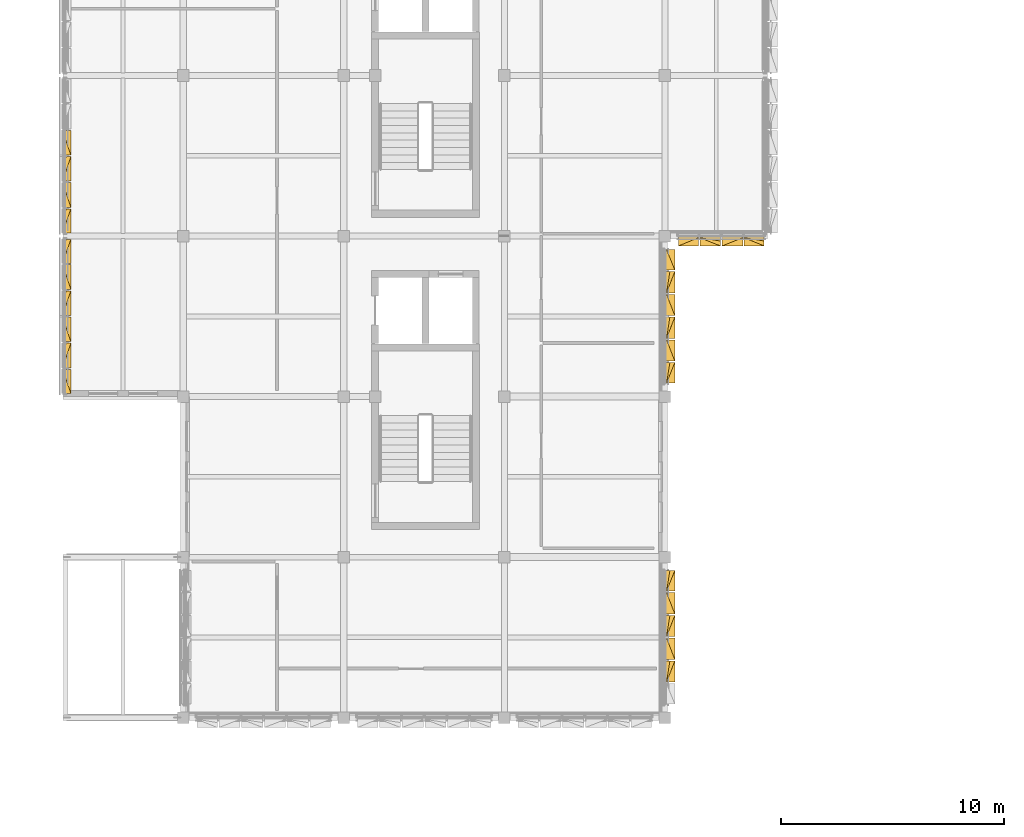
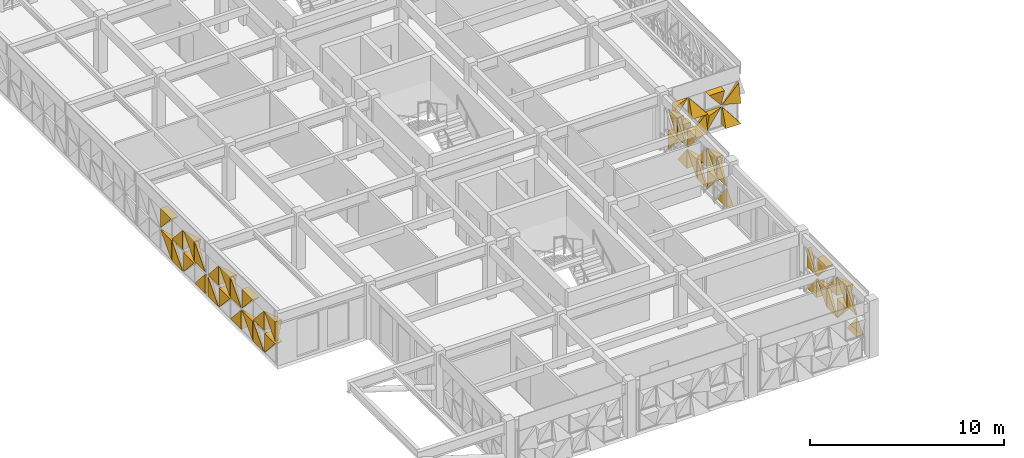
# One storey, part 43 of 48: 50 coverings.
"""IFC4 building model written with IfcOpenShell, lengths in metres."""

from ifc_helpers import new_model, si_unit, direction, frame, origin, place, context, subcontext, project, spatial, polygons, material, layer, layer_set, type_object, element, save


model = new_model("IFC4")

# Units and contexts
model_context = context("Model", 3, precision=1e-05, world=origin(), true_north=direction((0.0, 1.0)))
body_context = subcontext(model_context, "Body", "Model", "MODEL_VIEW")
ifc_project = project(units=[si_unit("LENGTHUNIT", "METRE"), si_unit("AREAUNIT", "SQUARE_METRE"), si_unit("VOLUMEUNIT", "CUBIC_METRE"), si_unit("PLANEANGLEUNIT", "RADIAN"), si_unit("MASSUNIT", "GRAM", prefix="KILO")], contexts=[model_context])

# Site, building, storey
site_placement = place(None, origin())
site = spatial("IfcSite", under=ifc_project, at=site_placement, CompositionType="ELEMENT")
building_placement = place(site_placement, origin())
building = spatial("IfcBuilding", under=site, at=building_placement, Name="Alvorim Cloister Faculty of Sciences", CompositionType="ELEMENT")
storey_placement = place(building_placement, frame((0.0, 0.0, 19.35009765625)))
storey = spatial("IfcBuildingStorey", under=building, at=storey_placement, Name="L05", CompositionType="ELEMENT", Elevation=19.35009765625)

# Coverings
ifc_material = material(Name="Perforated Bronze Alloy Sheet", Category="metal")
ifc_layer = layer(ifc_material, 0.0380859375)
ifc_layer_set = layer_set([ifc_layer], Name="Perforated Bronze Alloy Sheet")
covering_type = type_object("IfcCoveringType", Name="COV-TRI-BRZ", PredefinedType="CLADDING", material=ifc_layer_set)
covering_1_placement = place(storey_placement, frame((1.7548828125, 21.7451171875, 0.139892578125), z_axis=(0.0, 0.0, 1.0), x_axis=(0.0, 1.0, 0.0)))
element("IfcCovering", 1, at=covering_1_placement, inside=storey, type_object=covering_type, Name="Diagonal Solid Metal Triangle TRI-TR", PredefinedType="CLADDING", context=body_context, shape_type="Tessellation", body=[
    polygons([(1.075927734375, 0.0260009765625, 0.002), (1.075927734375, 0.0260009765625, 1.218505859375), (0.002, 0.0260009765625, 1.218505859375), (1.075927734375, -0.03, 0.002), (1.075927734375, -0.4, 1.218505859375), (0.002, -0.4, 1.218505859375)], [[[1, 3, 2]], [[4, 5, 6]], [[1, 2, 5, 4]], [[2, 3, 6, 5]], [[3, 1, 4, 6]]], closed=True),
])
covering_2_placement = place(storey_placement, frame((1.7548828125, 21.7451171875, 1.498291015625), z_axis=(0.0, 0.0, 1.0), x_axis=(0.0, 1.0, 0.0)))
element("IfcCovering", 2, at=covering_2_placement, inside=storey, type_object=covering_type, Name="Diagonal Solid Metal Triangle TRI-TL", PredefinedType="CLADDING", context=body_context, shape_type="Tessellation", body=[
    polygons([(1.073927734375, 0.0260009765625, 1.218505859375), (0.0, 0.0260009765625, 1.218505859375), (0.0, 0.0260009765625, 0.002), (1.073927734375, -0.03, 1.218505859375), (0.0, -0.4, 1.218505859375), (0.0, -0.13999999999999999, 0.002)], [[[1, 3, 2]], [[4, 5, 6]], [[1, 2, 5, 4]], [[2, 3, 6, 5]], [[3, 1, 4, 6]]], closed=True),
])
covering_3_placement = place(storey_placement, frame((1.7548828125, 22.8857421875, 0.139892578125), z_axis=(0.0, 0.0, 1.0), x_axis=(0.0, 1.0, 0.0)))
element("IfcCovering", 3, at=covering_3_placement, inside=storey, type_object=covering_type, Name="Diagonal Solid Metal Triangle TRI-BR", PredefinedType="CLADDING", context=body_context, shape_type="Tessellation", body=[
    polygons([(0.002, 0.0260009765625, 0.0), (1.1083984375, 0.0260009765625, 0.0), (1.1083984375, 0.0260009765625, 1.216505859375), (0.002, -0.03, 0.0), (1.1083984375, -0.4, 0.0), (1.1083984375, -0.18000000000000002, 1.216505859375)], [[[1, 3, 2]], [[4, 5, 6]], [[1, 2, 5, 4]], [[2, 3, 6, 5]], [[3, 1, 4, 6]]], closed=True),
])
covering_4_placement = place(storey_placement, frame((1.7548828125, 22.8857421875, 1.498291015625), z_axis=(0.0, 0.0, 1.0), x_axis=(0.0, 1.0, 0.0)))
element("IfcCovering", 4, at=covering_4_placement, inside=storey, type_object=covering_type, Name="Diagonal Solid Metal Triangle TRI-BL", PredefinedType="CLADDING", context=body_context, shape_type="Tessellation", body=[
    polygons([(0.0, 0.0260009765625, 0.0), (1.1063984375, 0.0260009765625, 0.0), (0.0, 0.0260009765625, 1.216505859375), (0.0, -0.4, 0.0), (1.1063984375, -0.4, 0.0), (0.0, -0.03, 1.216505859375)], [[[1, 3, 2]], [[4, 5, 6]], [[1, 2, 5, 4]], [[2, 3, 6, 5]], [[3, 1, 4, 6]]], closed=True),
])
covering_5_placement = place(storey_placement, frame((1.7548828125, 24.05908203125, 0.139892578125), z_axis=(0.0, 0.0, 1.0), x_axis=(0.0, 1.0, 0.0)))
element("IfcCovering", 5, at=covering_5_placement, inside=storey, type_object=covering_type, Name="Diagonal Solid Metal Triangle TRI-TL", PredefinedType="CLADDING", context=body_context, shape_type="Tessellation", body=[
    polygons([(1.1063984375, 0.0260009765625, 1.218505859375), (0.0, 0.0260009765625, 1.218505859375), (0.0, 0.0260009765625, 0.002), (1.1063984375, -0.03, 1.218505859375), (0.0, -0.4, 1.218505859375), (0.0, -0.13999999999999999, 0.002)], [[[1, 3, 2]], [[4, 5, 6]], [[1, 2, 5, 4]], [[2, 3, 6, 5]], [[3, 1, 4, 6]]], closed=True),
])
covering_6_placement = place(storey_placement, frame((1.7548828125, 24.05908203125, 1.498291015625), z_axis=(0.0, 0.0, 1.0), x_axis=(0.0, 1.0, 0.0)))
element("IfcCovering", 6, at=covering_6_placement, inside=storey, type_object=covering_type, Name="Diagonal Solid Metal Triangle TRI-TR", PredefinedType="CLADDING", context=body_context, shape_type="Tessellation", body=[
    polygons([(1.1083984375, 0.0260009765625, 0.002), (1.1083984375, 0.0260009765625, 1.218505859375), (0.002, 0.0260009765625, 1.218505859375), (1.1083984375, -0.03, 0.002), (1.1083984375, -0.4, 1.218505859375), (0.002, -0.4, 1.218505859375)], [[[1, 3, 2]], [[4, 5, 6]], [[1, 2, 5, 4]], [[2, 3, 6, 5]], [[3, 1, 4, 6]]], closed=True),
])
covering_7_placement = place(storey_placement, frame((1.7548828125, 25.232421875, 0.139892578125), z_axis=(0.0, 0.0, 1.0), x_axis=(0.0, 1.0, 0.0)))
element("IfcCovering", 7, at=covering_7_placement, inside=storey, type_object=covering_type, Name="Diagonal Solid Metal Triangle TRI-BL", PredefinedType="CLADDING", context=body_context, shape_type="Tessellation", body=[
    polygons([(0.0, 0.0260009765625, 0.0), (1.1063984375, 0.0260009765625, 0.0), (0.0, 0.0260009765625, 1.216505859375), (0.0, -0.4, 0.0), (1.1063984375, -0.4, 0.0), (0.0, -0.03, 1.216505859375)], [[[1, 3, 2]], [[4, 5, 6]], [[1, 2, 5, 4]], [[2, 3, 6, 5]], [[3, 1, 4, 6]]], closed=True),
])
covering_8_placement = place(storey_placement, frame((1.7548828125, 25.232421875, 1.498291015625), z_axis=(0.0, 0.0, 1.0), x_axis=(0.0, 1.0, 0.0)))
element("IfcCovering", 8, at=covering_8_placement, inside=storey, type_object=covering_type, Name="Diagonal Solid Metal Triangle TRI-BR", PredefinedType="CLADDING", context=body_context, shape_type="Tessellation", body=[
    polygons([(0.002, 0.0260009765625, 0.0), (1.1083984375, 0.0260009765625, 0.0), (1.1083984375, 0.0260009765625, 1.216505859375), (0.002, -0.03, 0.0), (1.1083984375, -0.4, 0.0), (1.1083984375, -0.18000000000000002, 1.216505859375)], [[[1, 3, 2]], [[4, 5, 6]], [[1, 2, 5, 4]], [[2, 3, 6, 5]], [[3, 1, 4, 6]]], closed=True),
])
covering_9_placement = place(storey_placement, frame((1.7548828125, 26.40576171875, 0.139892578125), z_axis=(0.0, 0.0, 1.0), x_axis=(0.0, 1.0, 0.0)))
element("IfcCovering", 9, at=covering_9_placement, inside=storey, type_object=covering_type, Name="Diagonal Solid Metal Triangle TRI-TR", PredefinedType="CLADDING", context=body_context, shape_type="Tessellation", body=[
    polygons([(1.1083984375, 0.0260009765625, 0.002), (1.1083984375, 0.0260009765625, 1.218505859375), (0.002, 0.0260009765625, 1.218505859375), (1.1083984375, -0.03, 0.002), (1.1083984375, -0.4, 1.218505859375), (0.002, -0.4, 1.218505859375)], [[[1, 3, 2]], [[4, 5, 6]], [[1, 2, 5, 4]], [[2, 3, 6, 5]], [[3, 1, 4, 6]]], closed=True),
])
covering_10_placement = place(storey_placement, frame((1.7548828125, 26.40576171875, 1.498291015625), z_axis=(0.0, 0.0, 1.0), x_axis=(0.0, 1.0, 0.0)))
element("IfcCovering", 10, at=covering_10_placement, inside=storey, type_object=covering_type, Name="Diagonal Solid Metal Triangle TRI-TL", PredefinedType="CLADDING", context=body_context, shape_type="Tessellation", body=[
    polygons([(1.1063984375, 0.0260009765625, 1.218505859375), (0.0, 0.0260009765625, 1.218505859375), (0.0, 0.0260009765625, 0.002), (1.1063984375, -0.03, 1.218505859375), (0.0, -0.4, 1.218505859375), (0.0, -0.13999999999999999, 0.002)], [[[1, 3, 2]], [[4, 5, 6]], [[1, 2, 5, 4]], [[2, 3, 6, 5]], [[3, 1, 4, 6]]], closed=True),
])
covering_11_placement = place(storey_placement, frame((1.7548828125, 27.5791015625, 0.139892578125), z_axis=(0.0, 0.0, 1.0), x_axis=(0.0, 1.0, 0.0)))
element("IfcCovering", 11, at=covering_11_placement, inside=storey, type_object=covering_type, Name="Diagonal Solid Metal Triangle TRI-BR", PredefinedType="CLADDING", context=body_context, shape_type="Tessellation", body=[
    polygons([(0.002, 0.0260009765625, 0.0), (1.075927734375, 0.0260009765625, 0.0), (1.075927734375, 0.0260009765625, 1.216505859375), (0.002, -0.03, 0.0), (1.075927734375, -0.4, 0.0), (1.075927734375, -0.18000000000000002, 1.216505859375)], [[[1, 3, 2]], [[4, 5, 6]], [[1, 2, 5, 4]], [[2, 3, 6, 5]], [[3, 1, 4, 6]]], closed=True),
])
for number, where, z_axis, x_axis, name in (
    (12, (1.7548828125, 27.5791015625, 1.498291015625), (0.0, 0.0, 1.0), (0.0, 1.0, 0.0), "Diagonal Solid Metal Triangle TRI-BL"),
    (13, (1.7548828125, 28.945068359375, 0.139892578125), (0.0, 0.0, 1.0), (0.0, 1.0, 0.0), "Diagonal Solid Metal Triangle TRI-BL"),
):
    element("IfcCovering", number, at=place(storey_placement, frame(where, z_axis=z_axis, x_axis=x_axis)), inside=storey, type_object=covering_type, Name=name, PredefinedType="CLADDING", context=body_context, shape_type="Tessellation", body=[
        polygons([(0.0, 0.0260009765625, 0.0), (1.073927734375, 0.0260009765625, 0.0), (0.0, 0.0260009765625, 1.216505859375), (0.0, -0.4, 0.0), (1.073927734375, -0.4, 0.0), (0.0, -0.03, 1.216505859375)], [[[1, 3, 2]], [[4, 5, 6]], [[1, 2, 5, 4]], [[2, 3, 6, 5]], [[3, 1, 4, 6]]], closed=True),
    ])
covering_12_placement = place(storey_placement, frame((1.7548828125, 28.945068359375, 1.498291015625), z_axis=(0.0, 0.0, 1.0), x_axis=(0.0, 1.0, 0.0)))
element("IfcCovering", 14, at=covering_12_placement, inside=storey, type_object=covering_type, Name="Diagonal Solid Metal Triangle TRI-BR", PredefinedType="CLADDING", context=body_context, shape_type="Tessellation", body=[
    polygons([(0.002, 0.0260009765625, 0.0), (1.075927734375, 0.0260009765625, 0.0), (1.075927734375, 0.0260009765625, 1.216505859375), (0.002, -0.03, 0.0), (1.075927734375, -0.4, 0.0), (1.075927734375, -0.18000000000000002, 1.216505859375)], [[[1, 3, 2]], [[4, 5, 6]], [[1, 2, 5, 4]], [[2, 3, 6, 5]], [[3, 1, 4, 6]]], closed=True),
])
covering_13_placement = place(storey_placement, frame((1.7548828125, 30.0859375, 0.139892578125), z_axis=(0.0, 0.0, 1.0), x_axis=(0.0, 1.0, 0.0)))
element("IfcCovering", 15, at=covering_13_placement, inside=storey, type_object=covering_type, Name="Diagonal Solid Metal Triangle TRI-TR", PredefinedType="CLADDING", context=body_context, shape_type="Tessellation", body=[
    polygons([(1.1083984375, 0.0260009765625, 0.002), (1.1083984375, 0.0260009765625, 1.218505859375), (0.002, 0.0260009765625, 1.218505859375), (1.1083984375, -0.03, 0.002), (1.1083984375, -0.4, 1.218505859375), (0.002, -0.4, 1.218505859375)], [[[1, 3, 2]], [[4, 5, 6]], [[1, 2, 5, 4]], [[2, 3, 6, 5]], [[3, 1, 4, 6]]], closed=True),
])
covering_14_placement = place(storey_placement, frame((1.7548828125, 30.0859375, 1.498291015625), z_axis=(0.0, 0.0, 1.0), x_axis=(0.0, 1.0, 0.0)))
element("IfcCovering", 16, at=covering_14_placement, inside=storey, type_object=covering_type, Name="Diagonal Solid Metal Triangle TRI-TL", PredefinedType="CLADDING", context=body_context, shape_type="Tessellation", body=[
    polygons([(1.1063984375, 0.0260009765625, 1.218505859375), (0.0, 0.0260009765625, 1.218505859375), (0.0, 0.0260009765625, 0.002), (1.1063984375, -0.03, 1.218505859375), (0.0, -0.4, 1.218505859375), (0.0, -0.13999999999999999, 0.002)], [[[1, 3, 2]], [[4, 5, 6]], [[1, 2, 5, 4]], [[2, 3, 6, 5]], [[3, 1, 4, 6]]], closed=True),
])
covering_15_placement = place(storey_placement, frame((1.7548828125, 31.25927734375, 0.139892578125), z_axis=(0.0, 0.0, 1.0), x_axis=(0.0, 1.0, 0.0)))
element("IfcCovering", 17, at=covering_15_placement, inside=storey, type_object=covering_type, Name="Diagonal Solid Metal Triangle TRI-BR", PredefinedType="CLADDING", context=body_context, shape_type="Tessellation", body=[
    polygons([(0.002, 0.0260009765625, 0.0), (1.1083984375, 0.0260009765625, 0.0), (1.1083984375, 0.0260009765625, 1.216505859375), (0.002, -0.03, 0.0), (1.1083984375, -0.4, 0.0), (1.1083984375, -0.18000000000000002, 1.216505859375)], [[[1, 3, 2]], [[4, 5, 6]], [[1, 2, 5, 4]], [[2, 3, 6, 5]], [[3, 1, 4, 6]]], closed=True),
])
covering_16_placement = place(storey_placement, frame((1.7548828125, 31.25927734375, 1.498291015625), z_axis=(0.0, 0.0, 1.0), x_axis=(0.0, 1.0, 0.0)))
element("IfcCovering", 18, at=covering_16_placement, inside=storey, type_object=covering_type, Name="Diagonal Solid Metal Triangle TRI-BL", PredefinedType="CLADDING", context=body_context, shape_type="Tessellation", body=[
    polygons([(0.0, 0.0260009765625, 0.0), (1.1063984375, 0.0260009765625, 0.0), (0.0, 0.0260009765625, 1.216505859375), (0.0, -0.4, 0.0), (1.1063984375, -0.4, 0.0), (0.0, -0.03, 1.216505859375)], [[[1, 3, 2]], [[4, 5, 6]], [[1, 2, 5, 4]], [[2, 3, 6, 5]], [[3, 1, 4, 6]]], closed=True),
])
covering_17_placement = place(storey_placement, frame((1.7548828125, 32.4326171875, 0.139892578125), z_axis=(0.0, 0.0, 1.0), x_axis=(0.0, 1.0, 0.0)))
element("IfcCovering", 19, at=covering_17_placement, inside=storey, type_object=covering_type, Name="Diagonal Solid Metal Triangle TRI-TL", PredefinedType="CLADDING", context=body_context, shape_type="Tessellation", body=[
    polygons([(1.1063984375, 0.0260009765625, 1.218505859375), (0.0, 0.0260009765625, 1.218505859375), (0.0, 0.0260009765625, 0.002), (1.1063984375, -0.03, 1.218505859375), (0.0, -0.4, 1.218505859375), (0.0, -0.13999999999999999, 0.002)], [[[1, 3, 2]], [[4, 5, 6]], [[1, 2, 5, 4]], [[2, 3, 6, 5]], [[3, 1, 4, 6]]], closed=True),
])
covering_18_placement = place(storey_placement, frame((1.7548828125, 32.4326171875, 1.498291015625), z_axis=(0.0, 0.0, 1.0), x_axis=(0.0, 1.0, 0.0)))
element("IfcCovering", 20, at=covering_18_placement, inside=storey, type_object=covering_type, Name="Diagonal Solid Metal Triangle TRI-TR", PredefinedType="CLADDING", context=body_context, shape_type="Tessellation", body=[
    polygons([(1.1083984375, 0.0260009765625, 0.002), (1.1083984375, 0.0260009765625, 1.218505859375), (0.002, 0.0260009765625, 1.218505859375), (1.1083984375, -0.03, 0.002), (1.1083984375, -0.4, 1.218505859375), (0.002, -0.4, 1.218505859375)], [[[1, 3, 2]], [[4, 5, 6]], [[1, 2, 5, 4]], [[2, 3, 6, 5]], [[3, 1, 4, 6]]], closed=True),
])
covering_19_placement = place(storey_placement, frame((29.405029296875, 28.7548828125, 0.139892578125), z_axis=(0.0, 0.0, 1.0), x_axis=(1.0, 0.0, 0.0)))
element("IfcCovering", 21, at=covering_19_placement, inside=storey, type_object=covering_type, Name="Diagonal Solid Metal Triangle TRI-TR", PredefinedType="CLADDING", context=body_context, shape_type="Tessellation", body=[
    polygons([(0.8974609375, 0.0260009765625, 0.002), (0.8974609375, 0.0260009765625, 1.14306640625), (0.002, 0.0260009765625, 1.14306640625), (0.8974609375, -0.03, 0.002), (0.8974609375, -0.4, 1.14306640625), (0.002, -0.4, 1.14306640625)], [[[1, 3, 2]], [[4, 5, 6]], [[1, 2, 5, 4]], [[2, 3, 6, 5]], [[3, 1, 4, 6]]], closed=True),
])
covering_20_placement = place(storey_placement, frame((29.405029296875, 28.7548828125, 1.4228515625), z_axis=(0.0, 0.0, 1.0), x_axis=(1.0, 0.0, 0.0)))
element("IfcCovering", 22, at=covering_20_placement, inside=storey, type_object=covering_type, Name="Diagonal Solid Metal Triangle TRI-TL", PredefinedType="CLADDING", context=body_context, shape_type="Tessellation", body=[
    polygons([(0.8954609375, 0.0260009765625, 1.14306640625), (0.0, 0.0260009765625, 1.14306640625), (0.0, 0.0260009765625, 0.002), (0.8954609375, -0.03, 1.14306640625), (0.0, -0.4, 1.14306640625), (0.0, -0.13999999999999999, 0.002)], [[[1, 3, 2]], [[4, 5, 6]], [[1, 2, 5, 4]], [[2, 3, 6, 5]], [[3, 1, 4, 6]]], closed=True),
])
covering_21_placement = place(storey_placement, frame((30.367431640625, 28.7548828125, 0.139892578125), z_axis=(0.0, 0.0, 1.0), x_axis=(1.0, 0.0, 0.0)))
element("IfcCovering", 23, at=covering_21_placement, inside=storey, type_object=covering_type, Name="Diagonal Solid Metal Triangle TRI-BR", PredefinedType="CLADDING", context=body_context, shape_type="Tessellation", body=[
    polygons([(0.002, 0.0260009765625, 0.0), (0.929931640625, 0.0260009765625, 0.0), (0.929931640625, 0.0260009765625, 1.14106640625), (0.002, -0.03, 0.0), (0.929931640625, -0.4, 0.0), (0.929931640625, -0.18000000000000002, 1.14106640625)], [[[1, 3, 2]], [[4, 5, 6]], [[1, 2, 5, 4]], [[2, 3, 6, 5]], [[3, 1, 4, 6]]], closed=True),
])
covering_22_placement = place(storey_placement, frame((30.367431640625, 28.7548828125, 1.4228515625), z_axis=(0.0, 0.0, 1.0), x_axis=(1.0, 0.0, 0.0)))
element("IfcCovering", 24, at=covering_22_placement, inside=storey, type_object=covering_type, Name="Diagonal Solid Metal Triangle TRI-BL", PredefinedType="CLADDING", context=body_context, shape_type="Tessellation", body=[
    polygons([(0.0, 0.0260009765625, 0.0), (0.927931640625, 0.0260009765625, 0.0), (0.0, 0.0260009765625, 1.14106640625), (0.0, -0.4, 0.0), (0.927931640625, -0.4, 0.0), (0.0, -0.03, 1.14106640625)], [[[1, 3, 2]], [[4, 5, 6]], [[1, 2, 5, 4]], [[2, 3, 6, 5]], [[3, 1, 4, 6]]], closed=True),
])
covering_23_placement = place(storey_placement, frame((31.362548828125, 28.7548828125, 0.139892578125), z_axis=(0.0, 0.0, 1.0), x_axis=(1.0, 0.0, 0.0)))
element("IfcCovering", 25, at=covering_23_placement, inside=storey, type_object=covering_type, Name="Diagonal Solid Metal Triangle TRI-TL", PredefinedType="CLADDING", context=body_context, shape_type="Tessellation", body=[
    polygons([(0.927931640625, 0.0260009765625, 1.14306640625), (0.0, 0.0260009765625, 1.14306640625), (0.0, 0.0260009765625, 0.002), (0.927931640625, -0.03, 1.14306640625), (0.0, -0.4, 1.14306640625), (0.0, -0.13999999999999999, 0.002)], [[[1, 3, 2]], [[4, 5, 6]], [[1, 2, 5, 4]], [[2, 3, 6, 5]], [[3, 1, 4, 6]]], closed=True),
])
covering_24_placement = place(storey_placement, frame((31.362548828125, 28.7548828125, 1.4228515625), z_axis=(0.0, 0.0, 1.0), x_axis=(1.0, 0.0, 0.0)))
element("IfcCovering", 26, at=covering_24_placement, inside=storey, type_object=covering_type, Name="Diagonal Solid Metal Triangle TRI-TR", PredefinedType="CLADDING", context=body_context, shape_type="Tessellation", body=[
    polygons([(0.929931640625, 0.0260009765625, 0.002), (0.929931640625, 0.0260009765625, 1.14306640625), (0.002, 0.0260009765625, 1.14306640625), (0.929931640625, -0.03, 0.002), (0.929931640625, -0.4, 1.14306640625), (0.002, -0.4, 1.14306640625)], [[[1, 3, 2]], [[4, 5, 6]], [[1, 2, 5, 4]], [[2, 3, 6, 5]], [[3, 1, 4, 6]]], closed=True),
])
covering_25_placement = place(storey_placement, frame((32.357421875, 28.7548828125, 0.139892578125), z_axis=(0.0, 0.0, 1.0), x_axis=(1.0, 0.0, 0.0)))
element("IfcCovering", 27, at=covering_25_placement, inside=storey, type_object=covering_type, Name="Diagonal Solid Metal Triangle TRI-BL", PredefinedType="CLADDING", context=body_context, shape_type="Tessellation", body=[
    polygons([(0.0, 0.0260009765625, 0.0), (0.8954609375, 0.0260009765625, 0.0), (0.0, 0.0260009765625, 1.14106640625), (0.0, -0.4, 0.0), (0.8954609375, -0.4, 0.0), (0.0, -0.03, 1.14106640625)], [[[1, 3, 2]], [[4, 5, 6]], [[1, 2, 5, 4]], [[2, 3, 6, 5]], [[3, 1, 4, 6]]], closed=True),
])
covering_26_placement = place(storey_placement, frame((32.357421875, 28.7548828125, 1.4228515625), z_axis=(0.0, 0.0, 1.0), x_axis=(1.0, 0.0, 0.0)))
element("IfcCovering", 28, at=covering_26_placement, inside=storey, type_object=covering_type, Name="Diagonal Solid Metal Triangle TRI-BR", PredefinedType="CLADDING", context=body_context, shape_type="Tessellation", body=[
    polygons([(0.002, 0.0260009765625, 0.0), (0.8974609375, 0.0260009765625, 0.0), (0.8974609375, 0.0260009765625, 1.14106640625), (0.002, -0.03, 0.0), (0.8974609375, -0.4, 0.0), (0.8974609375, -0.18000000000000002, 1.14106640625)], [[[1, 3, 2]], [[4, 5, 6]], [[1, 2, 5, 4]], [[2, 3, 6, 5]], [[3, 1, 4, 6]]], closed=True),
])
covering_27_placement = place(storey_placement, frame((28.844970703125, 22.205078125, 0.139892578125), z_axis=(0.0, 0.0, 1.0), x_axis=(0.0, 1.0, 0.0)))
element("IfcCovering", 29, at=covering_27_placement, inside=storey, type_object=covering_type, Name="Diagonal Solid Metal Triangle TRI-BL", PredefinedType="CLADDING", context=body_context, shape_type="Tessellation", body=[
    polygons([(0.0, 0.0260009765625, 0.0), (0.920607421875, 0.0260009765625, 0.0), (0.0, 0.0260009765625, 1.213087890625), (0.0, -0.4, 0.0), (0.920607421875, -0.4, 0.0), (0.0, -0.03, 1.213087890625)], [[[1, 3, 2]], [[4, 5, 6]], [[1, 2, 5, 4]], [[2, 3, 6, 5]], [[3, 1, 4, 6]]], closed=True),
])
covering_28_placement = place(storey_placement, frame((28.844970703125, 22.205078125, 1.494873046875), z_axis=(0.0, 0.0, 1.0), x_axis=(0.0, 1.0, 0.0)))
element("IfcCovering", 30, at=covering_28_placement, inside=storey, type_object=covering_type, Name="Diagonal Solid Metal Triangle TRI-BR", PredefinedType="CLADDING", context=body_context, shape_type="Tessellation", body=[
    polygons([(0.002, 0.0260009765625, 0.0), (0.922607421875, 0.0260009765625, 0.0), (0.922607421875, 0.0260009765625, 1.213087890625), (0.002, -0.03, 0.0), (0.922607421875, -0.4, 0.0), (0.922607421875, -0.18000000000000002, 1.213087890625)], [[[1, 3, 2]], [[4, 5, 6]], [[1, 2, 5, 4]], [[2, 3, 6, 5]], [[3, 1, 4, 6]]], closed=True),
])
covering_29_placement = place(storey_placement, frame((28.844970703125, 23.1923828125, 0.139892578125), z_axis=(0.0, 0.0, 1.0), x_axis=(0.0, 1.0, 0.0)))
element("IfcCovering", 31, at=covering_29_placement, inside=storey, type_object=covering_type, Name="Diagonal Solid Metal Triangle TRI-TR", PredefinedType="CLADDING", context=body_context, shape_type="Tessellation", body=[
    polygons([(0.955078125, 0.0260009765625, 0.002), (0.955078125, 0.0260009765625, 1.215087890625), (0.002, 0.0260009765625, 1.215087890625), (0.955078125, -0.03, 0.002), (0.955078125, -0.4, 1.215087890625), (0.002, -0.4, 1.215087890625)], [[[1, 3, 2]], [[4, 5, 6]], [[1, 2, 5, 4]], [[2, 3, 6, 5]], [[3, 1, 4, 6]]], closed=True),
])
covering_30_placement = place(storey_placement, frame((28.844970703125, 23.1923828125, 1.494873046875), z_axis=(0.0, 0.0, 1.0), x_axis=(0.0, 1.0, 0.0)))
element("IfcCovering", 32, at=covering_30_placement, inside=storey, type_object=covering_type, Name="Diagonal Solid Metal Triangle TRI-TL", PredefinedType="CLADDING", context=body_context, shape_type="Tessellation", body=[
    polygons([(0.953078125, 0.0260009765625, 1.215087890625), (0.0, 0.0260009765625, 1.215087890625), (0.0, 0.0260009765625, 0.002), (0.953078125, -0.03, 1.215087890625), (0.0, -0.4, 1.215087890625), (0.0, -0.13999999999999999, 0.002)], [[[1, 3, 2]], [[4, 5, 6]], [[1, 2, 5, 4]], [[2, 3, 6, 5]], [[3, 1, 4, 6]]], closed=True),
])
covering_31_placement = place(storey_placement, frame((28.844970703125, 24.21240234375, 0.139892578125), z_axis=(0.0, 0.0, 1.0), x_axis=(0.0, 1.0, 0.0)))
element("IfcCovering", 33, at=covering_31_placement, inside=storey, type_object=covering_type, Name="Diagonal Solid Metal Triangle TRI-BR", PredefinedType="CLADDING", context=body_context, shape_type="Tessellation", body=[
    polygons([(0.002, 0.0260009765625, 0.0), (0.955078125, 0.0260009765625, 0.0), (0.955078125, 0.0260009765625, 1.213087890625), (0.002, -0.03, 0.0), (0.955078125, -0.4, 0.0), (0.955078125, -0.18000000000000002, 1.213087890625)], [[[1, 3, 2]], [[4, 5, 6]], [[1, 2, 5, 4]], [[2, 3, 6, 5]], [[3, 1, 4, 6]]], closed=True),
])
covering_32_placement = place(storey_placement, frame((28.844970703125, 24.21240234375, 1.494873046875), z_axis=(0.0, 0.0, 1.0), x_axis=(0.0, 1.0, 0.0)))
element("IfcCovering", 34, at=covering_32_placement, inside=storey, type_object=covering_type, Name="Diagonal Solid Metal Triangle TRI-BL", PredefinedType="CLADDING", context=body_context, shape_type="Tessellation", body=[
    polygons([(0.0, 0.0260009765625, 0.0), (0.953078125, 0.0260009765625, 0.0), (0.0, 0.0260009765625, 1.213087890625), (0.0, -0.4, 0.0), (0.953078125, -0.4, 0.0), (0.0, -0.03, 1.213087890625)], [[[1, 3, 2]], [[4, 5, 6]], [[1, 2, 5, 4]], [[2, 3, 6, 5]], [[3, 1, 4, 6]]], closed=True),
])
covering_33_placement = place(storey_placement, frame((28.844970703125, 25.232421875, 0.139892578125), z_axis=(0.0, 0.0, 1.0), x_axis=(0.0, 1.0, 0.0)))
element("IfcCovering", 35, at=covering_33_placement, inside=storey, type_object=covering_type, Name="Diagonal Solid Metal Triangle TRI-TL", PredefinedType="CLADDING", context=body_context, shape_type="Tessellation", body=[
    polygons([(0.953078125, 0.0260009765625, 1.215087890625), (0.0, 0.0260009765625, 1.215087890625), (0.0, 0.0260009765625, 0.002), (0.953078125, -0.03, 1.215087890625), (0.0, -0.4, 1.215087890625), (0.0, -0.13999999999999999, 0.002)], [[[1, 3, 2]], [[4, 5, 6]], [[1, 2, 5, 4]], [[2, 3, 6, 5]], [[3, 1, 4, 6]]], closed=True),
])
covering_34_placement = place(storey_placement, frame((28.844970703125, 25.232421875, 1.494873046875), z_axis=(0.0, 0.0, 1.0), x_axis=(0.0, 1.0, 0.0)))
element("IfcCovering", 36, at=covering_34_placement, inside=storey, type_object=covering_type, Name="Diagonal Solid Metal Triangle TRI-TR", PredefinedType="CLADDING", context=body_context, shape_type="Tessellation", body=[
    polygons([(0.955078125, 0.0260009765625, 0.002), (0.955078125, 0.0260009765625, 1.215087890625), (0.002, 0.0260009765625, 1.215087890625), (0.955078125, -0.03, 0.002), (0.955078125, -0.4, 1.215087890625), (0.002, -0.4, 1.215087890625)], [[[1, 3, 2]], [[4, 5, 6]], [[1, 2, 5, 4]], [[2, 3, 6, 5]], [[3, 1, 4, 6]]], closed=True),
])
covering_35_placement = place(storey_placement, frame((28.844970703125, 26.25244140625, 0.139892578125), z_axis=(0.0, 0.0, 1.0), x_axis=(0.0, 1.0, 0.0)))
element("IfcCovering", 37, at=covering_35_placement, inside=storey, type_object=covering_type, Name="Diagonal Solid Metal Triangle TRI-BL", PredefinedType="CLADDING", context=body_context, shape_type="Tessellation", body=[
    polygons([(0.0, 0.0260009765625, 0.0), (0.953078125, 0.0260009765625, 0.0), (0.0, 0.0260009765625, 1.213087890625), (0.0, -0.4, 0.0), (0.953078125, -0.4, 0.0), (0.0, -0.03, 1.213087890625)], [[[1, 3, 2]], [[4, 5, 6]], [[1, 2, 5, 4]], [[2, 3, 6, 5]], [[3, 1, 4, 6]]], closed=True),
])
covering_36_placement = place(storey_placement, frame((28.844970703125, 26.25244140625, 1.494873046875), z_axis=(0.0, 0.0, 1.0), x_axis=(0.0, 1.0, 0.0)))
element("IfcCovering", 38, at=covering_36_placement, inside=storey, type_object=covering_type, Name="Diagonal Solid Metal Triangle TRI-BR", PredefinedType="CLADDING", context=body_context, shape_type="Tessellation", body=[
    polygons([(0.002, 0.0260009765625, 0.0), (0.955078125, 0.0260009765625, 0.0), (0.955078125, 0.0260009765625, 1.213087890625), (0.002, -0.03, 0.0), (0.955078125, -0.4, 0.0), (0.955078125, -0.18000000000000002, 1.213087890625)], [[[1, 3, 2]], [[4, 5, 6]], [[1, 2, 5, 4]], [[2, 3, 6, 5]], [[3, 1, 4, 6]]], closed=True),
])
covering_37_placement = place(storey_placement, frame((28.844970703125, 27.2724609375, 0.139892578125), z_axis=(0.0, 0.0, 1.0), x_axis=(0.0, 1.0, 0.0)))
element("IfcCovering", 39, at=covering_37_placement, inside=storey, type_object=covering_type, Name="Diagonal Solid Metal Triangle TRI-TR", PredefinedType="CLADDING", context=body_context, shape_type="Tessellation", body=[
    polygons([(0.922607421875, 0.0260009765625, 0.002), (0.922607421875, 0.0260009765625, 1.215087890625), (0.002, 0.0260009765625, 1.215087890625), (0.922607421875, -0.03, 0.002), (0.922607421875, -0.4, 1.215087890625), (0.002, -0.4, 1.215087890625)], [[[1, 3, 2]], [[4, 5, 6]], [[1, 2, 5, 4]], [[2, 3, 6, 5]], [[3, 1, 4, 6]]], closed=True),
])
covering_38_placement = place(storey_placement, frame((28.844970703125, 27.2724609375, 1.494873046875), z_axis=(0.0, 0.0, 1.0), x_axis=(0.0, 1.0, 0.0)))
element("IfcCovering", 40, at=covering_38_placement, inside=storey, type_object=covering_type, Name="Diagonal Solid Metal Triangle TRI-TL", PredefinedType="CLADDING", context=body_context, shape_type="Tessellation", body=[
    polygons([(0.920607421875, 0.0260009765625, 1.215087890625), (0.0, 0.0260009765625, 1.215087890625), (0.0, 0.0260009765625, 0.002), (0.920607421875, -0.03, 1.215087890625), (0.0, -0.4, 1.215087890625), (0.0, -0.13999999999999999, 0.002)], [[[1, 3, 2]], [[4, 5, 6]], [[1, 2, 5, 4]], [[2, 3, 6, 5]], [[3, 1, 4, 6]]], closed=True),
])
covering_39_placement = place(storey_placement, frame((28.844970703125, 8.79248046875, 0.139892578125), z_axis=(0.0, 0.0, 1.0), x_axis=(0.0, 1.0, 0.0)))
element("IfcCovering", 41, at=covering_39_placement, inside=storey, type_object=covering_type, Name="Diagonal Solid Metal Triangle TRI-BL", PredefinedType="CLADDING", context=body_context, shape_type="Tessellation", body=[
    polygons([(0.0, 0.0260009765625, 0.0), (0.953078125, 0.0260009765625, 0.0), (0.0, 0.0260009765625, 1.213087890625), (0.0, -0.4, 0.0), (0.953078125, -0.4, 0.0), (0.0, -0.03, 1.213087890625)], [[[1, 3, 2]], [[4, 5, 6]], [[1, 2, 5, 4]], [[2, 3, 6, 5]], [[3, 1, 4, 6]]], closed=True),
])
covering_40_placement = place(storey_placement, frame((28.844970703125, 8.79248046875, 1.494873046875), z_axis=(0.0, 0.0, 1.0), x_axis=(0.0, 1.0, 0.0)))
element("IfcCovering", 42, at=covering_40_placement, inside=storey, type_object=covering_type, Name="Diagonal Solid Metal Triangle TRI-BR", PredefinedType="CLADDING", context=body_context, shape_type="Tessellation", body=[
    polygons([(0.002, 0.0260009765625, 0.0), (0.955078125, 0.0260009765625, 0.0), (0.955078125, 0.0260009765625, 1.213087890625), (0.002, -0.03, 0.0), (0.955078125, -0.4, 0.0), (0.955078125, -0.18000000000000002, 1.213087890625)], [[[1, 3, 2]], [[4, 5, 6]], [[1, 2, 5, 4]], [[2, 3, 6, 5]], [[3, 1, 4, 6]]], closed=True),
])
covering_41_placement = place(storey_placement, frame((28.844970703125, 9.8125, 0.139892578125), z_axis=(0.0, 0.0, 1.0), x_axis=(0.0, 1.0, 0.0)))
element("IfcCovering", 43, at=covering_41_placement, inside=storey, type_object=covering_type, Name="Diagonal Solid Metal Triangle TRI-TR", PredefinedType="CLADDING", context=body_context, shape_type="Tessellation", body=[
    polygons([(0.955078125, 0.0260009765625, 0.002), (0.955078125, 0.0260009765625, 1.215087890625), (0.002, 0.0260009765625, 1.215087890625), (0.955078125, -0.03, 0.002), (0.955078125, -0.4, 1.215087890625), (0.002, -0.4, 1.215087890625)], [[[1, 3, 2]], [[4, 5, 6]], [[1, 2, 5, 4]], [[2, 3, 6, 5]], [[3, 1, 4, 6]]], closed=True),
])
covering_42_placement = place(storey_placement, frame((28.844970703125, 9.8125, 1.494873046875), z_axis=(0.0, 0.0, 1.0), x_axis=(0.0, 1.0, 0.0)))
element("IfcCovering", 44, at=covering_42_placement, inside=storey, type_object=covering_type, Name="Diagonal Solid Metal Triangle TRI-TL", PredefinedType="CLADDING", context=body_context, shape_type="Tessellation", body=[
    polygons([(0.953078125, 0.0260009765625, 1.215087890625), (0.0, 0.0260009765625, 1.215087890625), (0.0, 0.0260009765625, 0.002), (0.953078125, -0.03, 1.215087890625), (0.0, -0.4, 1.215087890625), (0.0, -0.13999999999999999, 0.002)], [[[1, 3, 2]], [[4, 5, 6]], [[1, 2, 5, 4]], [[2, 3, 6, 5]], [[3, 1, 4, 6]]], closed=True),
])
covering_43_placement = place(storey_placement, frame((28.844970703125, 10.83251953125, 0.139892578125), z_axis=(0.0, 0.0, 1.0), x_axis=(0.0, 1.0, 0.0)))
element("IfcCovering", 45, at=covering_43_placement, inside=storey, type_object=covering_type, Name="Diagonal Solid Metal Triangle TRI-BR", PredefinedType="CLADDING", context=body_context, shape_type="Tessellation", body=[
    polygons([(0.002, 0.0260009765625, 0.0), (0.955078125, 0.0260009765625, 0.0), (0.955078125, 0.0260009765625, 1.213087890625), (0.002, -0.03, 0.0), (0.955078125, -0.4, 0.0), (0.955078125, -0.18000000000000002, 1.213087890625)], [[[1, 3, 2]], [[4, 5, 6]], [[1, 2, 5, 4]], [[2, 3, 6, 5]], [[3, 1, 4, 6]]], closed=True),
])
covering_44_placement = place(storey_placement, frame((28.844970703125, 10.83251953125, 1.494873046875), z_axis=(0.0, 0.0, 1.0), x_axis=(0.0, 1.0, 0.0)))
element("IfcCovering", 46, at=covering_44_placement, inside=storey, type_object=covering_type, Name="Diagonal Solid Metal Triangle TRI-BL", PredefinedType="CLADDING", context=body_context, shape_type="Tessellation", body=[
    polygons([(0.0, 0.0260009765625, 0.0), (0.953078125, 0.0260009765625, 0.0), (0.0, 0.0260009765625, 1.213087890625), (0.0, -0.4, 0.0), (0.953078125, -0.4, 0.0), (0.0, -0.03, 1.213087890625)], [[[1, 3, 2]], [[4, 5, 6]], [[1, 2, 5, 4]], [[2, 3, 6, 5]], [[3, 1, 4, 6]]], closed=True),
])
covering_45_placement = place(storey_placement, frame((28.844970703125, 11.8525390625, 0.139892578125), z_axis=(0.0, 0.0, 1.0), x_axis=(0.0, 1.0, 0.0)))
element("IfcCovering", 47, at=covering_45_placement, inside=storey, type_object=covering_type, Name="Diagonal Solid Metal Triangle TRI-TL", PredefinedType="CLADDING", context=body_context, shape_type="Tessellation", body=[
    polygons([(0.953078125, 0.0260009765625, 1.215087890625), (0.0, 0.0260009765625, 1.215087890625), (0.0, 0.0260009765625, 0.002), (0.953078125, -0.03, 1.215087890625), (0.0, -0.4, 1.215087890625), (0.0, -0.13999999999999999, 0.002)], [[[1, 3, 2]], [[4, 5, 6]], [[1, 2, 5, 4]], [[2, 3, 6, 5]], [[3, 1, 4, 6]]], closed=True),
])
covering_46_placement = place(storey_placement, frame((28.844970703125, 11.8525390625, 1.494873046875), z_axis=(0.0, 0.0, 1.0), x_axis=(0.0, 1.0, 0.0)))
element("IfcCovering", 48, at=covering_46_placement, inside=storey, type_object=covering_type, Name="Diagonal Solid Metal Triangle TRI-TR", PredefinedType="CLADDING", context=body_context, shape_type="Tessellation", body=[
    polygons([(0.955078125, 0.0260009765625, 0.002), (0.955078125, 0.0260009765625, 1.215087890625), (0.002, 0.0260009765625, 1.215087890625), (0.955078125, -0.03, 0.002), (0.955078125, -0.4, 1.215087890625), (0.002, -0.4, 1.215087890625)], [[[1, 3, 2]], [[4, 5, 6]], [[1, 2, 5, 4]], [[2, 3, 6, 5]], [[3, 1, 4, 6]]], closed=True),
])
covering_47_placement = place(storey_placement, frame((28.844970703125, 12.87255859375, 0.139892578125), z_axis=(0.0, 0.0, 1.0), x_axis=(0.0, 1.0, 0.0)))
element("IfcCovering", 49, at=covering_47_placement, inside=storey, type_object=covering_type, Name="Diagonal Solid Metal Triangle TRI-BL", PredefinedType="CLADDING", context=body_context, shape_type="Tessellation", body=[
    polygons([(0.0, 0.0260009765625, 0.0), (0.920607421875, 0.0260009765625, 0.0), (0.0, 0.0260009765625, 1.213087890625), (0.0, -0.4, 0.0), (0.920607421875, -0.4, 0.0), (0.0, -0.03, 1.213087890625)], [[[1, 3, 2]], [[4, 5, 6]], [[1, 2, 5, 4]], [[2, 3, 6, 5]], [[3, 1, 4, 6]]], closed=True),
])
covering_48_placement = place(storey_placement, frame((28.844970703125, 12.87255859375, 1.494873046875), z_axis=(0.0, 0.0, 1.0), x_axis=(0.0, 1.0, 0.0)))
element("IfcCovering", 50, at=covering_48_placement, inside=storey, type_object=covering_type, Name="Diagonal Solid Metal Triangle TRI-BR", PredefinedType="CLADDING", context=body_context, shape_type="Tessellation", body=[
    polygons([(0.002, 0.0260009765625, 0.0), (0.922607421875, 0.0260009765625, 0.0), (0.922607421875, 0.0260009765625, 1.213087890625), (0.002, -0.03, 0.0), (0.922607421875, -0.4, 0.0), (0.922607421875, -0.18000000000000002, 1.213087890625)], [[[1, 3, 2]], [[4, 5, 6]], [[1, 2, 5, 4]], [[2, 3, 6, 5]], [[3, 1, 4, 6]]], closed=True),
])

save(model, "model.ifc")
